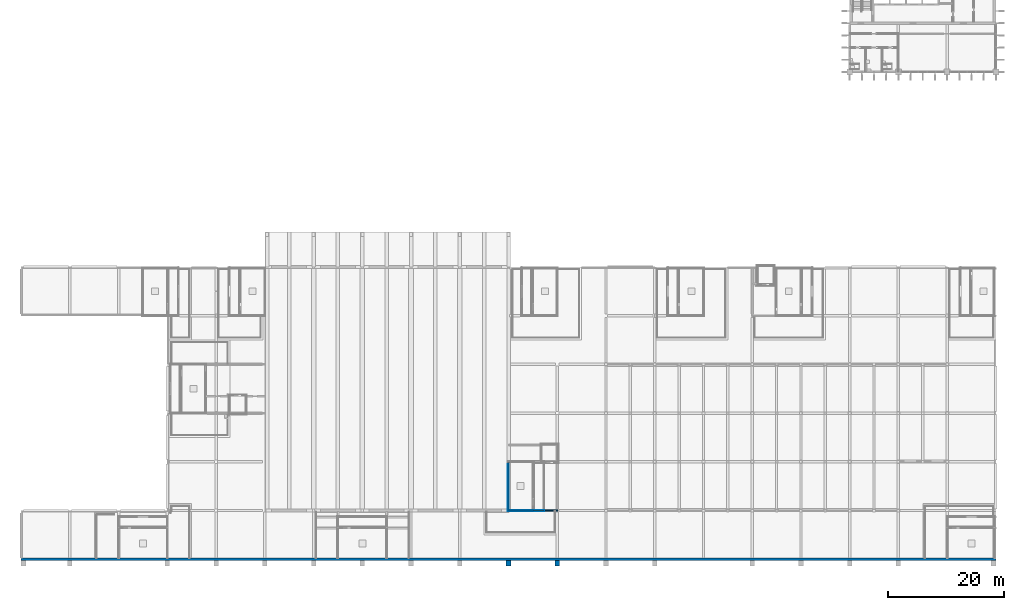
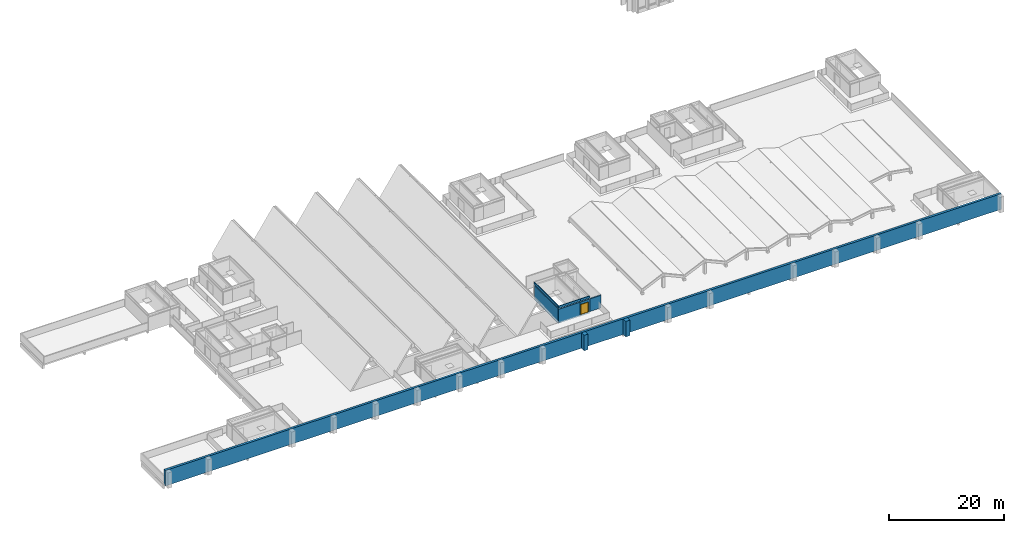
# One storey, part 14 of 24: 10 walls, 1 door, 1 opening.
"""IFC4 building model written with IfcOpenShell, lengths in metres."""

import ifcopenshell
import ifcopenshell.guid

model = None  # the IFC model being written
_history = None  # IfcOwnerHistory: only IFC2X3 demands one
_inside = {}  # id of a spatial element -> (the spatial element, [elements in it])
_under = {}  # id of a project, library or spatial element -> (it, [spatial elements below it])
_declared = {}  # id of a project -> (the project, [libraries it declares])
_typed = {}  # id of a type object -> (the type object, [elements of that type])
_made_of = {}  # id of a material, layer set ... -> (it, [elements and type objects made of it])


def new_model(schema):
    """Start an empty IFC model of exactly this schema.

    Asked for "IFC4X3", IfcOpenShell would pick the latest addendum, in which some entities
    have other attributes; the version numbers below select the first issue.
    IFC2X3 requires an IfcOwnerHistory on every rooted entity: one is made here for all.
    """
    global model, _history
    if schema == "IFC4X3":
        model = ifcopenshell.file(schema_version=(4, 3, 0, 0))
    else:
        model = ifcopenshell.file(schema=schema)
    _inside.clear()
    _under.clear()
    _declared.clear()
    _typed.clear()
    _made_of.clear()
    _history = None
    if model.schema == "IFC2X3":
        org = make("IfcOrganization", Name="unknown")
        user = make(
            "IfcPersonAndOrganization",
            ThePerson=make("IfcPerson", FamilyName="unknown"),
            TheOrganization=org,
        )
        app = make(
            "IfcApplication",
            ApplicationDeveloper=org,
            Version="unknown",
            ApplicationFullName="unknown",
            ApplicationIdentifier="unknown",
        )
        _history = make(
            "IfcOwnerHistory",
            OwningUser=user,
            OwningApplication=app,
            ChangeAction="ADDED",
            CreationDate=0,
        )
    return model


def make(cls, **values):
    """One entity of the class cls with the attributes given. An attribute that is None is left unset."""
    return model.create_entity(
        cls, **{name: value for name, value in values.items() if value is not None}
    )


def rooted(cls, **values):
    """An entity with a GlobalId (a new one), such as an element, a storey or a relation."""
    return make(cls, GlobalId=ifcopenshell.guid.new(), OwnerHistory=_history, **values)


def si_unit(unit_type, name, prefix=None):
    """IfcSIUnit, for example si_unit("LENGTHUNIT", "METRE", prefix="MILLI")."""
    return make("IfcSIUnit", UnitType=unit_type, Prefix=prefix, Name=name)


def assignment(units):
    """IfcUnitAssignment: the units of a project."""
    return None if units is None else make("IfcUnitAssignment", Units=units)


def point(xyz):
    """IfcCartesianPoint."""
    return None if xyz is None else make("IfcCartesianPoint", Coordinates=xyz)


def direction(xyz):
    """IfcDirection."""
    return None if xyz is None else make("IfcDirection", DirectionRatios=xyz)


def frame(location, z_axis=None, x_axis=None):
    """IfcAxis2Placement3D, a coordinate frame: its origin and axes. An axis left out is left unset."""
    return make(
        "IfcAxis2Placement3D",
        Location=point(location),
        Axis=direction(z_axis),
        RefDirection=direction(x_axis),
    )


def frame_2d(location, x_axis=None):
    """IfcAxis2Placement2D, a coordinate frame in the plane: its origin and x axis."""
    return make(
        "IfcAxis2Placement2D", Location=point(location), RefDirection=direction(x_axis)
    )


def origin():
    """The frame at (0, 0, 0) with its axes left unset."""
    return frame((0.0, 0.0, 0.0))


def place(relative_to, where):
    """IfcLocalPlacement: puts the frame where relative to a parent placement (None: the world)."""
    return make(
        "IfcLocalPlacement", PlacementRelTo=relative_to, RelativePlacement=where
    )


def context(
    kind, dimensions, precision=None, world=None, true_north=None, identifier=None
):
    """IfcGeometricRepresentationContext, for example the 3D "Model" context."""
    return make(
        "IfcGeometricRepresentationContext",
        ContextIdentifier=identifier,
        ContextType=kind,
        CoordinateSpaceDimension=dimensions,
        Precision=precision,
        WorldCoordinateSystem=world,
        TrueNorth=true_north,
    )


def subcontext(parent, identifier, kind, view, scale=None):
    """IfcGeometricRepresentationSubContext, for example "Body" below "Model"."""
    return make(
        "IfcGeometricRepresentationSubContext",
        ContextIdentifier=identifier,
        ContextType=kind,
        ParentContext=parent,
        TargetScale=scale,
        TargetView=view,
    )


def project(units=None, contexts=None):
    """IfcProject with its units and contexts."""
    return rooted(
        "IfcProject",
        Name="project",
        RepresentationContexts=contexts,
        UnitsInContext=assignment(units),
    )


def spatial(cls, under=None, at=None, **own):
    """A site, building, storey or space (cls), placed at a placement, below another one or the project."""
    s = rooted(cls, ObjectPlacement=at, **own)
    if under is not None:
        _under.setdefault(under.id(), (under, []))[1].append(s)
    return s


def profile(cls, at=None, kind="AREA", **sizes):
    """A parametric profile (cls). Its sizes go by their IFC names, for example OverallWidth=200.0."""
    return make(cls, ProfileType=kind, Position=at, **sizes)


def rectangle(**sizes):
    """IfcRectangleProfileDef."""
    return profile("IfcRectangleProfileDef", **sizes)


def extrude(swept, where, along, depth):
    """IfcExtrudedAreaSolid: the profile swept, set in the frame where, extruded along a direction by depth."""
    return make(
        "IfcExtrudedAreaSolid",
        SweptArea=swept,
        Position=where,
        ExtrudedDirection=direction(along),
        Depth=depth,
    )


def shape(context_of_items, identifier, shape_type, items):
    """IfcShapeRepresentation: the items that make up one representation, for example the "Body"."""
    return make(
        "IfcShapeRepresentation",
        ContextOfItems=context_of_items,
        RepresentationIdentifier=identifier,
        RepresentationType=shape_type,
        Items=items,
    )


def material(Name=None, Category=None):
    """IfcMaterial."""
    return make("IfcMaterial", Name=Name, Category=Category)


def layer(
    of_material, thickness, ventilated=None, Name=None, Category=None, Priority=None
):
    """IfcMaterialLayer: one layer of a wall or slab, of a material (None: an air gap)."""
    return make(
        "IfcMaterialLayer",
        Material=of_material,
        LayerThickness=thickness,
        IsVentilated=ventilated,
        Name=Name,
        Category=Category,
        Priority=Priority,
    )


def layer_set(layers, Name=None):
    """IfcMaterialLayerSet."""
    return make("IfcMaterialLayerSet", MaterialLayers=layers, LayerSetName=Name)


def made_of(thing, what):
    """Note that an element or type object is made of a material, layer set ...; save() writes the relation."""
    if what is not None:
        _made_of.setdefault(what.id(), (what, []))[1].append(thing)
    return thing


def type_object(cls, material=None, **own):
    """A type object (cls), such as IfcWallType, which elements share."""
    return made_of(rooted(cls, **own), material)


def element(
    cls,
    number,
    at=None,
    inside=None,
    cuts=None,
    type_object=None,
    material=None,
    context=None,
    identifier="Body",
    shape_type=None,
    held_by="IfcProductDefinitionShape",
    body=None,
    shapes=None,
    **own,
):
    """One element of the class cls, such as IfcWall. Its Tag is "e" and its number.

    at: its placement. inside: the storey or other place that contains it. cuts: it is an
    opening in that element (IfcRelVoidsElement). A single representation is given by context,
    identifier, shape_type and body (its items); several are given by shapes. held_by: the class
    of the entity that holds the representations. save() writes the other relations.
    """
    e = rooted(cls, Tag="e%d" % number, ObjectPlacement=at, **own)
    if body is not None:
        shapes = [shape(context, identifier, shape_type, body)]
    if shapes is not None:
        e.Representation = make(held_by, Representations=shapes)
    if inside is not None:
        _inside.setdefault(inside.id(), (inside, []))[1].append(e)
    if cuts is not None:
        rooted(
            "IfcRelVoidsElement", RelatingBuildingElement=cuts, RelatedOpeningElement=e
        )
    if type_object is not None:
        _typed.setdefault(type_object.id(), (type_object, []))[1].append(e)
    return made_of(e, material)


def fill(opening, filler):
    """IfcRelFillsElement: the door or window that sits in an opening."""
    return rooted(
        "IfcRelFillsElement",
        RelatingOpeningElement=opening,
        RelatedBuildingElement=filler,
    )


def aggregate(whole, parts):
    """IfcRelAggregates: a whole, such as a stair, and the parts it consists of."""
    return rooted("IfcRelAggregates", RelatingObject=whole, RelatedObjects=parts)


def save(model, path):
    """Write the relations noted so far, then the file.

    IfcRelAggregates (storeys below a building ...), IfcRelContainedInSpatialStructure (elements
    in a storey), IfcRelDefinesByType, IfcRelAssociatesMaterial and IfcRelDeclares: one each for
    every whole, place, type object, material and project.
    """
    for whole, parts in _under.values():
        aggregate(whole, parts)
    for where, things in _inside.values():
        rooted(
            "IfcRelContainedInSpatialStructure",
            RelatedElements=things,
            RelatingStructure=where,
        )
    for kind, things in _typed.values():
        rooted("IfcRelDefinesByType", RelatedObjects=things, RelatingType=kind)
    for what, things in _made_of.values():
        rooted("IfcRelAssociatesMaterial", RelatedObjects=things, RelatingMaterial=what)
    for by, libraries in _declared.values():
        rooted("IfcRelDeclares", RelatingContext=by, RelatedDefinitions=libraries)
    model.write(path)


model = new_model("IFC4")

# Units and contexts
model_context = context("Model", 3, precision=1e-05, world=origin(), true_north=direction((0.0, 1.0)))
body_context = subcontext(model_context, "Body", "Model", "MODEL_VIEW")
ifc_project = project(units=[si_unit("LENGTHUNIT", "METRE"), si_unit("AREAUNIT", "SQUARE_METRE"), si_unit("VOLUMEUNIT", "CUBIC_METRE"), si_unit("PLANEANGLEUNIT", "RADIAN"), si_unit("MASSUNIT", "GRAM", prefix="KILO")], contexts=[model_context])

# Site, building, storey
site_placement = place(None, origin())
site = spatial("IfcSite", under=ifc_project, at=site_placement, CompositionType="ELEMENT")
building_placement = place(site_placement, origin())
building = spatial("IfcBuilding", under=site, at=building_placement, Name="Rulbaag Community and Learning Centre", CompositionType="ELEMENT")
storey_placement = place(building_placement, frame((0.0, 0.0, 14.39990234375)))
storey = spatial("IfcBuildingStorey", under=building, at=storey_placement, Name="L03", CompositionType="ELEMENT", Elevation=14.39990234375)

# Walls
ifc_material_1 = material(Name="Concrete M40", Category="concrete")
ifc_layer_1 = layer(ifc_material_1, 0.800048828125)
ifc_layer_set_1 = layer_set([ifc_layer_1], Name="EW-BTR")
wall_type_1 = type_object("IfcWallType", Name="EW-BTR", PredefinedType="SOLIDWALL", material=ifc_layer_set_1)
for number, where, z_axis, x_axis, name in (
    (1, (84.0, -0.22509765625, -0.2998046875), (0.0, 0.0, 1.0), (0.0, -1.0, 0.0), "Buttress pier"),
    (2, (92.39990234375, -0.22509765625, -0.2998046875), (0.0, 0.0, 1.0), (0.0, -1.0, 0.0), "Buttress pier"),
):
    element("IfcWall", number, at=place(storey_placement, frame(where, z_axis=z_axis, x_axis=x_axis)), inside=storey, type_object=wall_type_1, Name=name, PredefinedType="SOLIDWALL", context=body_context, shape_type="SweptSolid", body=[
        extrude(rectangle(XDim=0.89990234375, YDim=0.800048828125, at=frame_2d((0.449951171875, 0.0))), origin(), (0.0, 0.0, 1.0), 3.2998046875),
    ])
ifc_layer_2 = layer(ifc_material_1, 0.14990234375)
ifc_layer_set_2 = layer_set([ifc_layer_2], Name="EW-PAR150")
wall_type_2 = type_object("IfcWallType", Name="EW-PAR150", PredefinedType="PARAPET", material=ifc_layer_set_2)
wall_1_placement = place(storey_placement, frame((83.89990234375, 8.375, 2.900146484375), z_axis=(0.0, 0.0, 1.0), x_axis=(1.0, 0.0, 0.0)))
element("IfcWall", 3, at=wall_1_placement, inside=storey, type_object=wall_type_2, Name="Precast concrete roof upstand with drip nose, head house roofs", PredefinedType="PARAPET", context=body_context, shape_type="SweptSolid", body=[
    extrude(rectangle(XDim=4.400146484375, YDim=0.14990234375, at=frame_2d((2.2001953125, 0.0))), origin(), (0.0, 0.0, 1.0), 0.449951171875),
])
wall_2_placement = place(storey_placement, frame((83.97509765625, 8.449951171875, 2.900146484375), z_axis=(0.0, 0.0, 1.0), x_axis=(0.0, 1.0, 0.0)))
element("IfcWall", 4, at=wall_2_placement, inside=storey, type_object=wall_type_2, Name="Precast concrete roof upstand with drip nose, head house roofs", PredefinedType="PARAPET", context=body_context, shape_type="SweptSolid", body=[
    extrude(rectangle(XDim=8.300048828125, YDim=0.14990234375, at=frame_2d((4.14990234375, 0.0))), origin(), (0.0, 0.0, 1.0), 0.449951171875),
])
wall_3_placement = place(storey_placement, frame((88.300048828125, 8.375, 2.900146484375), z_axis=(0.0, 0.0, 1.0), x_axis=(1.0, 0.0, 0.0)))
element("IfcWall", 5, at=wall_3_placement, inside=storey, type_object=wall_type_2, Name="Precast concrete roof upstand with drip nose, head house roofs", PredefinedType="PARAPET", context=body_context, shape_type="SweptSolid", body=[
    extrude(rectangle(XDim=1.89990234375, YDim=0.14990234375, at=frame_2d((0.949951171875, 0.0))), origin(), (0.0, 0.0, 1.0), 0.449951171875),
])
ifc_material_2 = material(Name="Concrete blockwork", Category="masonry")
ifc_layer_3 = layer(ifc_material_2, 0.199951171875)
ifc_layer_set_3 = layer_set([ifc_layer_3], Name="FW-200 FIRE WALL 200")
wall_type_3 = type_object("IfcWallType", Name="FW-200 FIRE WALL 200", PredefinedType="SOLIDWALL", material=ifc_layer_set_3)
wall_4_placement = place(storey_placement, frame((90.199951171875, 8.39990234375, 0.0), z_axis=(0.0, 0.0, 1.0), x_axis=(1.0, 0.0, 0.0)))
element("IfcWall", 6, at=wall_4_placement, inside=storey, type_object=wall_type_3, Name="Fire wall L03 1", PredefinedType="SOLIDWALL", context=body_context, shape_type="SweptSolid", body=[
    extrude(rectangle(XDim=2.300048828125, YDim=0.199951171875, at=frame_2d((1.14990234375, 0.0))), origin(), (0.0, 0.0, 1.0), 2.7001953125),
])
ifc_layer_4 = layer(ifc_material_1, 0.449951171875)
ifc_layer_set_4 = layer_set([ifc_layer_4], Name="W12 Rail-side wall 450 Concrete M40")
wall_type_4 = type_object("IfcWallType", Name="W12 Rail-side wall 450 Concrete M40", PredefinedType="SOLIDWALL", material=ifc_layer_set_4)
wall_5_placement = place(storey_placement, frame((0.0, 0.0, -0.2998046875), z_axis=(0.0, 0.0, 1.0), x_axis=(1.0, 0.0, 0.0)))
element("IfcWall", 7, at=wall_5_placement, inside=storey, type_object=wall_type_4, Name="WL-RAIL-L03", PredefinedType="SOLIDWALL", context=body_context, shape_type="SweptSolid", body=[
    extrude(rectangle(XDim=168.0, YDim=0.449951171875, at=frame_2d((84.0, 0.0))), origin(), (0.0, 0.0, 1.0), 3.2998046875),
])
ifc_layer_5 = layer(ifc_material_1, 0.199951171875)
ifc_layer_set_5 = layer_set([ifc_layer_5], Name="W14 Stair head wall 200 Concrete M40")
wall_type_5 = type_object("IfcWallType", Name="W14 Stair head wall 200 Concrete M40", PredefinedType="SHEAR", material=ifc_layer_set_5)
wall_6_placement = place(storey_placement, frame((83.89990234375, 8.39990234375, -0.2998046875), z_axis=(0.0, 0.0, 1.0), x_axis=(1.0, 0.0, 0.0)))
element("IfcWall", 8, at=wall_6_placement, inside=storey, type_object=wall_type_5, Name="WL-HEAD-SH2-S", PredefinedType="SHEAR", context=body_context, shape_type="SweptSolid", body=[
    extrude(rectangle(XDim=4.400146484375, YDim=0.199951171875, at=frame_2d((2.2001953125, 0.0))), origin(), (0.0, 0.0, 1.0), 3.0),
])
wall_7_placement = place(storey_placement, frame((84.0, 8.5, -0.2998046875), z_axis=(0.0, 0.0, 1.0), x_axis=(0.0, 1.0, 0.0)))
element("IfcWall", 9, at=wall_7_placement, inside=storey, type_object=wall_type_5, Name="WL-HEAD-SH2-W", PredefinedType="SHEAR", context=body_context, shape_type="SweptSolid", body=[
    extrude(rectangle(XDim=8.199951171875, YDim=0.199951171875, at=frame_2d((4.10009765625, 0.0))), origin(), (0.0, 0.0, 1.0), 3.0),
])

# Wall, opening, door
wall_8_placement = place(storey_placement, frame((88.199951171875, 8.39990234375, -0.2998046875), z_axis=(0.0, 0.0, 1.0), x_axis=(1.0, 0.0, 0.0)))
wall_8 = element("IfcWall", 10, at=wall_8_placement, inside=storey, type_object=wall_type_5, Name="WL-LOBBY-SH2-S", PredefinedType="SHEAR", context=body_context, shape_type="SweptSolid", body=[
    extrude(rectangle(XDim=1.900146484375, YDim=0.199951171875, at=frame_2d((0.9501953125, 0.0))), origin(), (0.0, 0.0, 1.0), 3.0),
])
opening_placement = place(wall_8_placement, frame((1.75, 0.0, 0.300048828125), z_axis=(0.0, 0.0, 1.0), x_axis=(-1.0, 0.0, 0.0)))
opening = element("IfcOpeningElement", 11, at=opening_placement, cuts=wall_8, Name="Opening L03-D020", PredefinedType="OPENING", context=body_context, shape_type="SweptSolid", body=[
    extrude(rectangle(XDim=1.60009765625, YDim=2.199951171875, at=frame_2d((0.800048828125, 1.10009765625))), frame((0.0, 0.10986328125, 0.0), z_axis=(0.0, -1.0, 0.0), x_axis=(1.0, 0.0, 0.0)), (0.0, 0.0, 1.0), 0.219970703125),
])
ifc_material_3 = material(Name="Galvanised steel", Category="steel")
door_type = type_object("IfcDoorType", Name="DX-16", OperationType="DOUBLE_DOOR_SINGLE_SWING", PredefinedType="DOOR", material=ifc_material_3)
door_placement = place(opening_placement, origin())
door = element("IfcDoor", 12, at=door_placement, inside=storey, type_object=door_type, Name="Terrace door T3", OperationType="DOUBLE_DOOR_SINGLE_SWING", OverallHeight=2.199951171875, OverallWidth=1.60009765625, PredefinedType="DOOR", context=body_context, shape_type="SweptSolid", body=[
    extrude(rectangle(XDim=1.60009765625, YDim=0.012939453125, at=frame_2d((0.800048828125, 0.006591796875))), frame((0.0, 0.087890625, 0.0), z_axis=(0.0, -1.0, 0.0), x_axis=(1.0, 0.0, 0.0)), (0.0, 0.0, 1.0), 0.176025390625),
    extrude(rectangle(XDim=0.074951171875, YDim=2.112060546875, at=frame_2d((0.03759765625, 1.069091796875))), frame((0.0, 0.09814453125, 0.0), z_axis=(0.0, -1.0, 0.0), x_axis=(1.0, 0.0, 0.0)), (0.0, 0.0, 1.0), 0.196044921875),
    extrude(rectangle(XDim=0.074951171875, YDim=2.112060546875, at=frame_2d((1.5625, 1.069091796875))), frame((0.0, 0.09814453125, 0.0), z_axis=(0.0, -1.0, 0.0), x_axis=(1.0, 0.0, 0.0)), (0.0, 0.0, 1.0), 0.196044921875),
    extrude(rectangle(XDim=1.60009765625, YDim=0.074951171875, at=frame_2d((0.800048828125, 2.16259765625))), frame((0.0, 0.087890625, 0.0), z_axis=(0.0, -1.0, 0.0), x_axis=(1.0, 0.0, 0.0)), (0.0, 0.0, 1.0), 0.176025390625),
    extrude(rectangle(XDim=1.4501953125, YDim=2.112060546875, at=frame_2d((0.800048828125, 1.069091796875))), frame((0.0, 0.02490234375, 0.0), z_axis=(0.0, -1.0, 0.0), x_axis=(1.0, 0.0, 0.0)), (0.0, 0.0, 1.0), 0.050048828125),
])
fill(opening, door)

save(model, "model.ifc")
